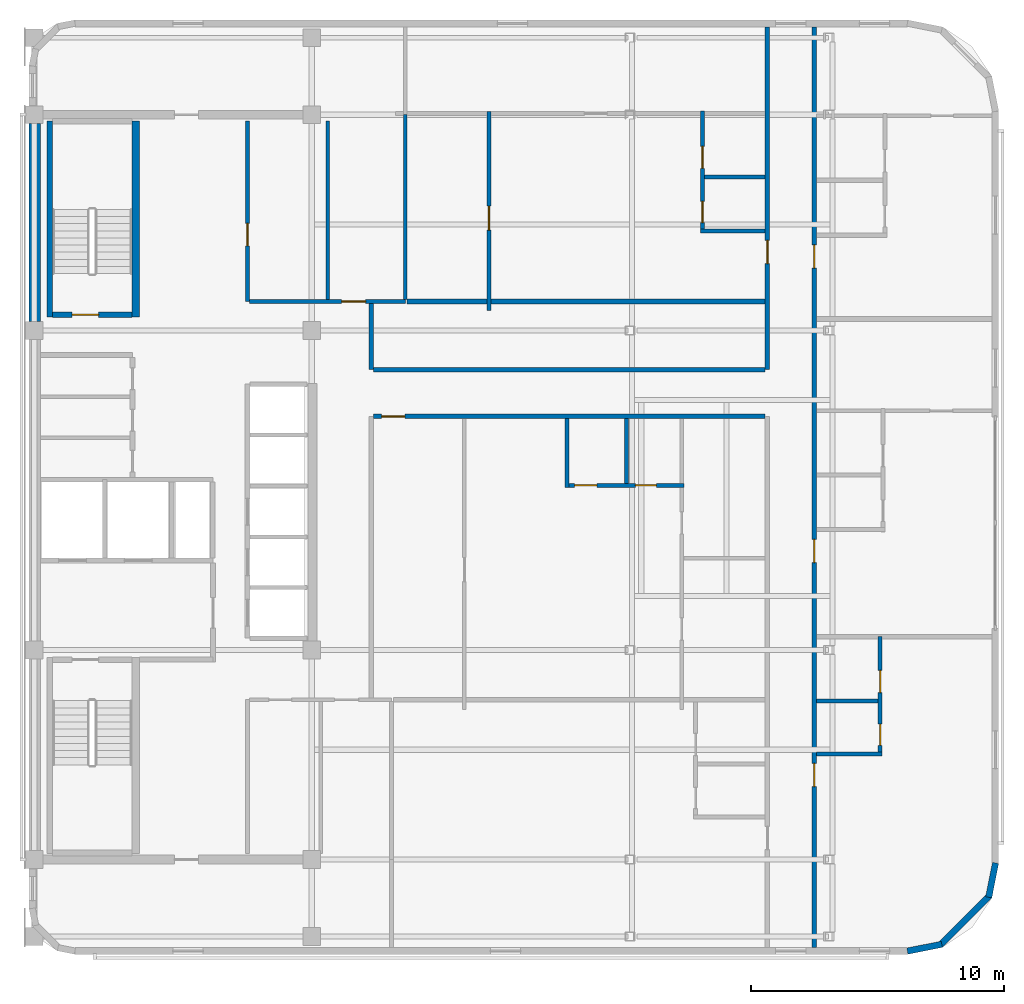
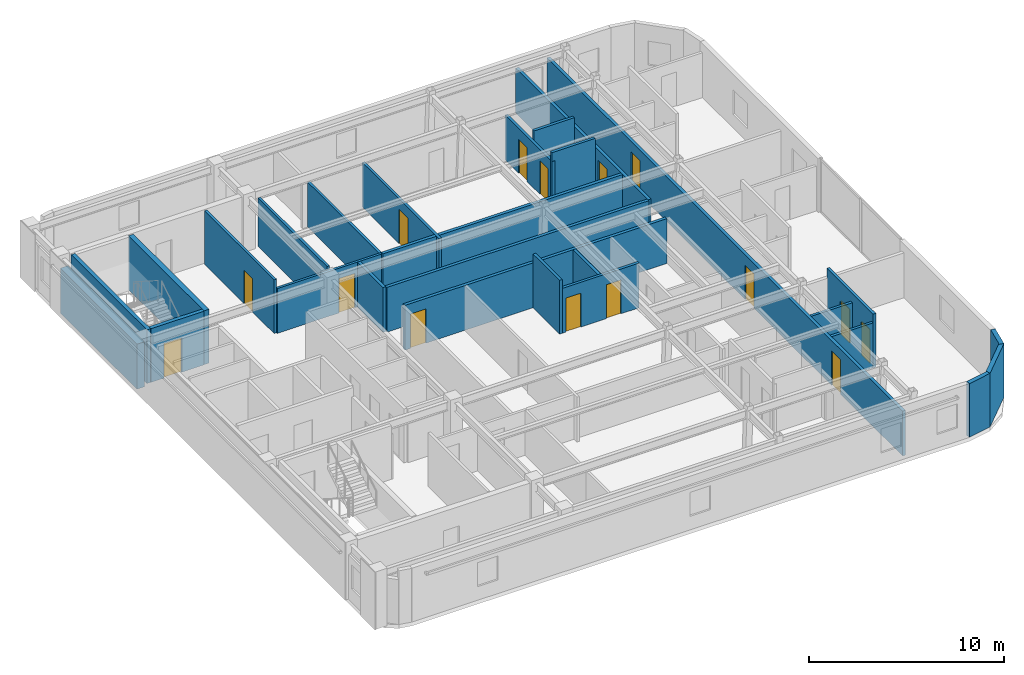
# One storey, part 5 of 10: 27 walls, 15 doors, 15 openings.
"""IFC4 building model written with IfcOpenShell, lengths in metres."""

from ifc_helpers import new_model, si_unit, direction, frame, frame_2d, origin, place, context, subcontext, project, spatial, rectangle, extrude, material, layer, layer_set, type_object, element, fill, save


model = new_model("IFC4")

# Units and contexts
model_context = context("Model", 3, precision=1e-05, world=origin(), true_north=direction((0.0, 1.0)))
body_context = subcontext(model_context, "Body", "Model", "MODEL_VIEW")
ifc_project = project(units=[si_unit("LENGTHUNIT", "METRE"), si_unit("AREAUNIT", "SQUARE_METRE"), si_unit("VOLUMEUNIT", "CUBIC_METRE"), si_unit("PLANEANGLEUNIT", "RADIAN"), si_unit("MASSUNIT", "GRAM", prefix="KILO")], contexts=[model_context])

# Site, building, storey
site_placement = place(None, origin())
site = spatial("IfcSite", under=ifc_project, at=site_placement, CompositionType="ELEMENT")
building_placement = place(site_placement, origin())
building = spatial("IfcBuilding", under=site, at=building_placement, Name="Ochreholt Gables", CompositionType="ELEMENT")
storey_placement = place(building_placement, frame((0.0, 0.0, 223.800048828125)))
storey = spatial("IfcBuildingStorey", under=building, at=storey_placement, Name="L58", CompositionType="ELEMENT", Elevation=223.800048828125)

# Walls
ifc_material_1 = material(Name="Concrete 50 MPa", Category="concrete")
ifc_layer_1 = layer(ifc_material_1, 0.449951171875, Name="Concrete 50 MPa")
ifc_layer_set_1 = layer_set([ifc_layer_1], Name="Concrete 50 MPa")
wall_type_1 = type_object("IfcWallType", Name="WALL-CSW-EXT", PredefinedType="SHEAR", material=ifc_layer_set_1)
wall_1_placement = place(storey_placement, frame((24.22509765625, 30.550048828125, 0.0), z_axis=(0.0, 0.0, 1.0), x_axis=(0.0, 1.0, 0.0)))
element("IfcWall", 1, at=wall_1_placement, inside=storey, type_object=wall_type_1, Name="L58 Core West Shear Wall WN", PredefinedType="SHEAR", context=body_context, shape_type="SweptSolid", body=[
    extrude(rectangle(XDim=7.849853515625, YDim=0.449951171875, at=frame_2d((3.9248046875, 0.0))), origin(), (0.0, 0.0, 1.0), 2.821044921875),
])
ifc_material_2 = material(Name="Precast concrete 40 MPa", Category="concrete")
ifc_layer_2 = layer(ifc_material_2, 0.25, Name="Precast concrete 40 MPa")
ifc_layer_set_2 = layer_set([ifc_layer_2], Name="Precast concrete 40 MPa")
wall_type_2 = type_object("IfcWallType", Name="WALL-EXT-CNR", PredefinedType="SOLIDWALL", material=ifc_layer_set_2)
wall_2_placement = place(storey_placement, frame((58.783447265625, 5.624267578125, 0.0), z_axis=(0.0, 0.0, 1.0), x_axis=(0.980809899341, 0.19496651342, 0.0)))
element("IfcWall", 2, at=wall_2_placement, inside=storey, type_object=wall_type_2, Name="L58 Rounded Corner Wall SE-1", PredefinedType="SOLIDWALL", context=body_context, shape_type="SweptSolid", body=[
    extrude(rectangle(XDim=1.388671875, YDim=0.25, at=frame_2d((0.6943359375, 0.0))), origin(), (0.0, 0.0, 1.0), 3.35986328125),
])
wall_3_placement = place(storey_placement, frame((60.094970703125, 5.867919921875, 0.0), z_axis=(0.0, 0.0, 1.0), x_axis=(0.707106781187, 0.707106781187, 0.0)))
element("IfcWall", 3, at=wall_3_placement, inside=storey, type_object=wall_type_2, Name="L58 Rounded Corner Wall SE-2", PredefinedType="SOLIDWALL", context=body_context, shape_type="SweptSolid", body=[
    extrude(rectangle(XDim=2.7392578125, YDim=0.25, at=frame_2d((1.36962890625, 0.0))), origin(), (0.0, 0.0, 1.0), 3.35986328125),
])
wall_4_placement = place(storey_placement, frame((62.0048828125, 7.75439453125, 0.0), z_axis=(0.0, 0.0, 1.0), x_axis=(0.195135625965, 0.9807762678, 0.0)))
element("IfcWall", 4, at=wall_4_placement, inside=storey, type_object=wall_type_2, Name="L58 Rounded Corner Wall SE-3", PredefinedType="SOLIDWALL", context=body_context, shape_type="SweptSolid", body=[
    extrude(rectangle(XDim=1.388671875, YDim=0.25, at=frame_2d((0.6943359375, 0.0))), origin(), (0.0, 0.0, 1.0), 3.35986328125),
])
ifc_material_3 = material(Name="Fire-Rated Gypsum Acoustic Partition", Category="gypsum")
ifc_layer_3 = layer(ifc_material_3, 0.179931640625, Name="Fire-Rated Gypsum Acoustic Partition")
ifc_layer_set_3 = layer_set([ifc_layer_3], Name="Fire-Rated Gypsum Acoustic Partition")
wall_type_3 = type_object("IfcWallType", Name="WALL-INT-CR180", PredefinedType="STANDARD", material=ifc_layer_set_3)
wall_5_placement = place(storey_placement, frame((37.550048828125, 28.64990234375, 0.0), z_axis=(0.0, 0.0, 1.0), x_axis=(0.0, 1.0, 0.0)))
element("IfcWall", 5, at=wall_5_placement, inside=storey, type_object=wall_type_3, Name="L58 Interior Wall WI-C3CE2-L58", PredefinedType="STANDARD", context=body_context, shape_type="SweptSolid", body=[
    extrude(rectangle(XDim=2.627685546875, YDim=0.179931640625, at=frame_2d((1.31396484375, 0.0))), origin(), (0.0, 0.0, 1.0), 2.802978515625),
])

# Wall, opening, door
wall_6_placement = place(storey_placement, frame((53.24169921875, 28.64990234375, 0.0), z_axis=(0.0, 0.0, 1.0), x_axis=(0.0, 1.0, 0.0)))
wall_6 = element("IfcWall", 6, at=wall_6_placement, inside=storey, type_object=wall_type_3, Name="L58 Interior Wall WI-C3GW2-L58", PredefinedType="STANDARD", context=body_context, shape_type="SweptSolid", body=[
    extrude(rectangle(XDim=13.580078125, YDim=0.179931640625, at=frame_2d((6.7900390625, 0.0))), origin(), (0.0, 0.0, 1.0), 2.802978515625),
])
opening_1_placement = place(wall_6_placement, frame((4.199951171875, 0.0, 0.0)))
opening_1 = element("IfcOpeningElement", 7, at=opening_1_placement, cuts=wall_6, Name="Opening D-UN1", PredefinedType="OPENING", context=body_context, shape_type="SweptSolid", body=[
    extrude(rectangle(XDim=0.919921875, YDim=2.14990234375, at=frame_2d((0.4599609375, 1.074951171875))), frame((0.0, 0.099853515625, 0.0), z_axis=(0.0, -1.0, 0.0), x_axis=(1.0, 0.0, 0.0)), (0.0, 0.0, 1.0), 0.199951171875),
])
ifc_material_4 = material(Name="Engineered Oak Timber", Category="wood")
door_type_1 = type_object("IfcDoorType", Name="DR-INT-UNT920", OperationType="NOTDEFINED", PredefinedType="DOOR", material=ifc_material_4)
door_1_placement = place(opening_1_placement, origin())
door_1 = element("IfcDoor", 8, at=door_1_placement, inside=storey, type_object=door_type_1, Name="L58 Door D-U-L58NM2-ENT", OperationType="SINGLE_SWING_RIGHT", OverallHeight=2.14990234375, OverallWidth=0.919921875, PredefinedType="DOOR", context=body_context, shape_type="SweptSolid", body=[
    extrude(rectangle(XDim=0.919921875, YDim=2.14990234375, at=frame_2d((0.4599609375, 1.074951171875))), frame((0.0, 0.02490234375, 0.0), z_axis=(0.0, -1.0, 0.0), x_axis=(1.0, 0.0, 0.0)), (0.0, 0.0, 1.0), 0.050048828125),
])
fill(opening_1, door_1)

wall_7_placement = place(storey_placement, frame((37.639892578125, 26.800048828125, 0.0), z_axis=(0.0, 0.0, 1.0), x_axis=(1.0, 0.0, 0.0)))
wall_7 = element("IfcWall", 9, at=wall_7_placement, inside=storey, type_object=wall_type_3, Name="L58 Interior Wall WI-C3BRS1-L58", PredefinedType="STANDARD", context=body_context, shape_type="SweptSolid", body=[
    extrude(rectangle(XDim=15.51171875, YDim=0.179931640625, at=frame_2d((7.755859375, 0.0))), origin(), (0.0, 0.0, 1.0), 2.802978515625),
])
opening_2_placement = place(wall_7_placement, frame((0.320068359375, 0.0, 0.0)))
opening_2 = element("IfcOpeningElement", 10, at=opening_2_placement, cuts=wall_7, Name="Opening D-UN1", PredefinedType="OPENING", context=body_context, shape_type="SweptSolid", body=[
    extrude(rectangle(XDim=0.919921875, YDim=2.14990234375, at=frame_2d((0.4599609375, 1.074951171875))), frame((0.0, 0.099853515625, 0.0), z_axis=(0.0, -1.0, 0.0), x_axis=(1.0, 0.0, 0.0)), (0.0, 0.0, 1.0), 0.199951171875),
])
door_2_placement = place(opening_2_placement, origin())
door_2 = element("IfcDoor", 11, at=door_2_placement, inside=storey, type_object=door_type_1, Name="L58 Door D-U-L58SM2-ENT", OperationType="SINGLE_SWING_LEFT", OverallHeight=2.14990234375, OverallWidth=0.919921875, PredefinedType="DOOR", context=body_context, shape_type="SweptSolid", body=[
    extrude(rectangle(XDim=0.919921875, YDim=2.14990234375, at=frame_2d((0.4599609375, 1.074951171875))), frame((0.0, 0.02490234375, 0.0), z_axis=(0.0, -1.0, 0.0), x_axis=(1.0, 0.0, 0.0)), (0.0, 0.0, 1.0), 0.050048828125),
])
fill(opening_2, door_2)

# Wall
wall_8_placement = place(storey_placement, frame((37.639892578125, 28.64990234375, 0.0), z_axis=(0.0, 0.0, 1.0), x_axis=(1.0, 0.0, 0.0)))
element("IfcWall", 12, at=wall_8_placement, inside=storey, type_object=wall_type_3, Name="L58 Interior Wall WI-C3BRN1-L58", PredefinedType="STANDARD", context=body_context, shape_type="SweptSolid", body=[
    extrude(rectangle(XDim=15.51171875, YDim=0.179931640625, at=frame_2d((7.755859375, 0.0))), origin(), (0.0, 0.0, 1.0), 2.802978515625),
])

# Wall, openings, doors
wall_9_placement = place(storey_placement, frame((55.091552734375, 5.77001953125, 0.0), z_axis=(0.0, 0.0, 1.0), x_axis=(0.0, 1.0, 0.0)))
wall_9 = element("IfcWall", 13, at=wall_9_placement, inside=storey, type_object=wall_type_3, Name="L58 Interior Wall WI-C3GE-L58", PredefinedType="STANDARD", context=body_context, shape_type="SweptSolid", body=[
    extrude(rectangle(XDim=36.4599609375, YDim=0.179931640625, at=frame_2d((18.22998046875, 0.0))), origin(), (0.0, 0.0, 1.0), 2.802978515625),
])
opening_3_placement = place(wall_9_placement, frame((6.3701171875, 0.0, 0.0)))
opening_3 = element("IfcOpeningElement", 14, at=opening_3_placement, cuts=wall_9, Name="Opening D-UN1", PredefinedType="OPENING", context=body_context, shape_type="SweptSolid", body=[
    extrude(rectangle(XDim=0.919921875, YDim=2.14990234375, at=frame_2d((0.4599609375, 1.074951171875))), frame((0.0, 0.099853515625, 0.0), z_axis=(0.0, -1.0, 0.0), x_axis=(1.0, 0.0, 0.0)), (0.0, 0.0, 1.0), 0.199951171875),
])
opening_4_placement = place(wall_9_placement, frame((15.242919921875, 0.0, 0.0)))
opening_4 = element("IfcOpeningElement", 15, at=opening_4_placement, cuts=wall_9, Name="Opening D-UN1", PredefinedType="OPENING", context=body_context, shape_type="SweptSolid", body=[
    extrude(rectangle(XDim=0.919921875, YDim=2.14990234375, at=frame_2d((0.4599609375, 1.074951171875))), frame((0.0, 0.099853515625, 0.0), z_axis=(0.0, -1.0, 0.0), x_axis=(1.0, 0.0, 0.0)), (0.0, 0.0, 1.0), 0.199951171875),
])
opening_5_placement = place(wall_9_placement, frame((26.904541015625, 0.0, 0.0)))
opening_5 = element("IfcOpeningElement", 16, at=opening_5_placement, cuts=wall_9, Name="Opening D-UN1", PredefinedType="OPENING", context=body_context, shape_type="SweptSolid", body=[
    extrude(rectangle(XDim=0.919921875, YDim=2.14990234375, at=frame_2d((0.4599609375, 1.074951171875))), frame((0.0, 0.099853515625, 0.0), z_axis=(0.0, -1.0, 0.0), x_axis=(1.0, 0.0, 0.0)), (0.0, 0.0, 1.0), 0.199951171875),
])
door_3_placement = place(opening_3_placement, origin())
door_3 = element("IfcDoor", 17, at=door_3_placement, inside=storey, type_object=door_type_1, Name="L58 Door D-U-L58E1-ENT", OperationType="SINGLE_SWING_RIGHT", OverallHeight=2.14990234375, OverallWidth=0.919921875, PredefinedType="DOOR", context=body_context, shape_type="SweptSolid", body=[
    extrude(rectangle(XDim=0.919921875, YDim=2.14990234375, at=frame_2d((0.4599609375, 1.074951171875))), frame((0.0, 0.02490234375, 0.0), z_axis=(0.0, -1.0, 0.0), x_axis=(1.0, 0.0, 0.0)), (0.0, 0.0, 1.0), 0.050048828125),
])
fill(opening_3, door_3)
door_4_placement = place(opening_4_placement, origin())
door_4 = element("IfcDoor", 18, at=door_4_placement, inside=storey, type_object=door_type_1, Name="L58 Door D-U-L58E2-ENT", OperationType="SINGLE_SWING_LEFT", OverallHeight=2.14990234375, OverallWidth=0.919921875, PredefinedType="DOOR", context=body_context, shape_type="SweptSolid", body=[
    extrude(rectangle(XDim=0.919921875, YDim=2.14990234375, at=frame_2d((0.4599609375, 1.074951171875))), frame((0.0, 0.02490234375, 0.0), z_axis=(0.0, -1.0, 0.0), x_axis=(1.0, 0.0, 0.0)), (0.0, 0.0, 1.0), 0.050048828125),
])
fill(opening_4, door_4)
door_5_placement = place(opening_5_placement, origin())
door_5 = element("IfcDoor", 19, at=door_5_placement, inside=storey, type_object=door_type_1, Name="L58 Door D-U-L58E3-ENT", OperationType="SINGLE_SWING_RIGHT", OverallHeight=2.14990234375, OverallWidth=0.919921875, PredefinedType="DOOR", context=body_context, shape_type="SweptSolid", body=[
    extrude(rectangle(XDim=0.919921875, YDim=2.14990234375, at=frame_2d((0.4599609375, 1.074951171875))), frame((0.0, 0.02490234375, 0.0), z_axis=(0.0, -1.0, 0.0), x_axis=(1.0, 0.0, 0.0)), (0.0, 0.0, 1.0), 0.050048828125),
])
fill(opening_5, door_5)

# Walls
ifc_material_5 = material(Name="Double-Stud Acoustic Demising Wall", Category="gypsum")
ifc_layer_4 = layer(ifc_material_5, 0.18505859375, Name="Double-Stud Acoustic Demising Wall")
ifc_layer_set_4 = layer_set([ifc_layer_4], Name="Double-Stud Acoustic Demising Wall")
wall_type_4 = type_object("IfcWallType", Name="WALL-INT-DM185", PredefinedType="PARTITIONING", material=ifc_layer_set_4)
wall_10_placement = place(storey_placement, frame((38.972412109375, 31.35009765625, 0.0), z_axis=(0.0, 0.0, 1.0), x_axis=(1.0, 0.0, 0.0)))
element("IfcWall", 20, at=wall_10_placement, inside=storey, type_object=wall_type_4, Name="L58 Interior Wall WI-C3NMY-L58", PredefinedType="PARTITIONING", context=body_context, shape_type="SweptSolid", body=[
    extrude(rectangle(XDim=14.17919921875, YDim=0.18505859375, at=frame_2d((7.089599609375, 0.0))), origin(), (0.0, 0.0, 1.0), 2.802978515625),
])
ifc_material_6 = material(Name="Moisture-Resistant Plumbing Chase Wall", Category="gypsum")
ifc_layer_5 = layer(ifc_material_6, 0.159912109375, Name="Moisture-Resistant Plumbing Chase Wall")
ifc_layer_set_5 = layer_set([ifc_layer_5], Name="Moisture-Resistant Plumbing Chase Wall")
wall_type_5 = type_object("IfcWallType", Name="WALL-INT-PL160", PredefinedType="PLUMBINGWALL", material=ifc_layer_set_5)
wall_11_placement = place(storey_placement, frame((55.181640625, 13.43994140625, 0.0), z_axis=(0.0, 0.0, 1.0), x_axis=(1.0, 0.0, 0.0)))
element("IfcWall", 21, at=wall_11_placement, inside=storey, type_object=wall_type_5, Name="L58 Interior Wall WU-L58E1-WYS", PredefinedType="PLUMBINGWALL", context=body_context, shape_type="SweptSolid", body=[
    extrude(rectangle(XDim=2.60595703125, YDim=0.159912109375, at=frame_2d((1.302978515625, 0.0))), origin(), (0.0, 0.0, 1.0), 2.802978515625),
])

# Wall, openings, doors
wall_12_placement = place(storey_placement, frame((57.70751953125, 13.35009765625, 0.0), z_axis=(0.0, 0.0, 1.0), x_axis=(0.0, 1.0, 0.0)))
wall_12 = element("IfcWall", 22, at=wall_12_placement, inside=storey, type_object=wall_type_5, Name="L58 Interior Wall WU-L58E1-WX", PredefinedType="PLUMBINGWALL", context=body_context, shape_type="SweptSolid", body=[
    extrude(rectangle(XDim=4.72998046875, YDim=0.159912109375, at=frame_2d((2.364990234375, 0.0))), origin(), (0.0, 0.0, 1.0), 3.35986328125),
])
opening_6_placement = place(wall_12_placement, frame((0.419921875, 0.0, 0.0)))
opening_6 = element("IfcOpeningElement", 23, at=opening_6_placement, cuts=wall_12, Name="Opening D-BT2", PredefinedType="OPENING", context=body_context, shape_type="SweptSolid", body=[
    extrude(rectangle(XDim=0.840087890625, YDim=2.1201171875, at=frame_2d((0.419921875, 1.06005859375))), frame((0.0, 0.08984375, 0.0), z_axis=(0.0, -1.0, 0.0), x_axis=(1.0, 0.0, 0.0)), (0.0, 0.0, 1.0), 0.179931640625),
])
opening_7_placement = place(wall_12_placement, frame((2.512939453125, 0.0, 0.0)))
opening_7 = element("IfcOpeningElement", 24, at=opening_7_placement, cuts=wall_12, Name="Opening D-GN2", PredefinedType="OPENING", context=body_context, shape_type="SweptSolid", body=[
    extrude(rectangle(XDim=0.8798828125, YDim=2.1201171875, at=frame_2d((0.43994140625, 1.06005859375))), frame((0.0, 0.08984375, 0.0), z_axis=(0.0, -1.0, 0.0), x_axis=(1.0, 0.0, 0.0)), (0.0, 0.0, 1.0), 0.179931640625),
])
door_type_2 = type_object("IfcDoorType", Name="DR-INT-BTH840", OperationType="NOTDEFINED", PredefinedType="DOOR", material=ifc_material_4)
door_6_placement = place(opening_6_placement, origin())
door_6 = element("IfcDoor", 25, at=door_6_placement, inside=storey, type_object=door_type_2, Name="L58 Door D-U-L58E1-BTH", OperationType="SINGLE_SWING_LEFT", OverallHeight=2.1201171875, OverallWidth=0.840087890625, PredefinedType="DOOR", context=body_context, shape_type="SweptSolid", body=[
    extrude(rectangle(XDim=0.840087890625, YDim=2.1201171875, at=frame_2d((0.419921875, 1.06005859375))), frame((0.0, 0.02490234375, 0.0), z_axis=(0.0, -1.0, 0.0), x_axis=(1.0, 0.0, 0.0)), (0.0, 0.0, 1.0), 0.050048828125),
])
fill(opening_6, door_6)
door_type_3 = type_object("IfcDoorType", Name="DR-INT-GEN880", OperationType="NOTDEFINED", PredefinedType="DOOR", material=ifc_material_4)
door_7_placement = place(opening_7_placement, origin())
door_7 = element("IfcDoor", 26, at=door_7_placement, inside=storey, type_object=door_type_3, Name="L58 Door D-U-L58E1-KIT", OperationType="SINGLE_SWING_RIGHT", OverallHeight=2.1201171875, OverallWidth=0.8798828125, PredefinedType="DOOR", context=body_context, shape_type="SweptSolid", body=[
    extrude(rectangle(XDim=0.8798828125, YDim=2.1201171875, at=frame_2d((0.43994140625, 1.06005859375))), frame((0.0, 0.02490234375, 0.0), z_axis=(0.0, -1.0, 0.0), x_axis=(1.0, 0.0, 0.0)), (0.0, 0.0, 1.0), 0.050048828125),
])
fill(opening_7, door_7)

# Wall
wall_13_placement = place(storey_placement, frame((55.181640625, 15.532958984375, 0.0), z_axis=(0.0, 0.0, 1.0), x_axis=(1.0, 0.0, 0.0)))
element("IfcWall", 27, at=wall_13_placement, inside=storey, type_object=wall_type_5, Name="L58 Interior Wall WU-L58E1-WM", PredefinedType="PLUMBINGWALL", context=body_context, shape_type="SweptSolid", body=[
    extrude(rectangle(XDim=2.446044921875, YDim=0.159912109375, at=frame_2d((1.22314453125, 0.0))), origin(), (0.0, 0.0, 1.0), 2.802978515625),
])

# Wall, openings, doors
wall_14_placement = place(storey_placement, frame((45.2216796875, 24.070068359375, 0.0), z_axis=(0.0, 0.0, 1.0), x_axis=(1.0, 0.0, 0.0)))
wall_14 = element("IfcWall", 28, at=wall_14_placement, inside=storey, type_object=wall_type_5, Name="L58 Interior Wall WU-L58SM2-WY", PredefinedType="PLUMBINGWALL", context=body_context, shape_type="SweptSolid", body=[
    extrude(rectangle(XDim=4.7099609375, YDim=0.159912109375, at=frame_2d((2.35498046875, 0.0))), origin(), (0.0, 0.0, 1.0), 2.802978515625),
])
opening_8_placement = place(wall_14_placement, frame((0.3798828125, 0.0, 0.0)))
opening_8 = element("IfcOpeningElement", 29, at=opening_8_placement, cuts=wall_14, Name="Opening D-GN2", PredefinedType="OPENING", context=body_context, shape_type="SweptSolid", body=[
    extrude(rectangle(XDim=0.8798828125, YDim=2.1201171875, at=frame_2d((0.43994140625, 1.06005859375))), frame((0.0, 0.08984375, 0.0), z_axis=(0.0, -1.0, 0.0), x_axis=(1.0, 0.0, 0.0)), (0.0, 0.0, 1.0), 0.179931640625),
])
opening_9_placement = place(wall_14_placement, frame((2.785888671875, 0.0, 0.0)))
opening_9 = element("IfcOpeningElement", 30, at=opening_9_placement, cuts=wall_14, Name="Opening D-BT2", PredefinedType="OPENING", context=body_context, shape_type="SweptSolid", body=[
    extrude(rectangle(XDim=0.840087890625, YDim=2.1201171875, at=frame_2d((0.419921875, 1.06005859375))), frame((0.0, 0.08984375, 0.0), z_axis=(0.0, -1.0, 0.0), x_axis=(1.0, 0.0, 0.0)), (0.0, 0.0, 1.0), 0.179931640625),
])
door_8_placement = place(opening_9_placement, origin())
door_8 = element("IfcDoor", 31, at=door_8_placement, inside=storey, type_object=door_type_2, Name="L58 Door D-U-L58SM2-BTH", OperationType="SINGLE_SWING_LEFT", OverallHeight=2.1201171875, OverallWidth=0.840087890625, PredefinedType="DOOR", context=body_context, shape_type="SweptSolid", body=[
    extrude(rectangle(XDim=0.840087890625, YDim=2.1201171875, at=frame_2d((0.419921875, 1.06005859375))), frame((0.0, 0.02490234375, 0.0), z_axis=(0.0, -1.0, 0.0), x_axis=(1.0, 0.0, 0.0)), (0.0, 0.0, 1.0), 0.050048828125),
])
fill(opening_9, door_8)
door_9_placement = place(opening_8_placement, origin())
door_9 = element("IfcDoor", 32, at=door_9_placement, inside=storey, type_object=door_type_3, Name="L58 Door D-U-L58SM2-KIT", OperationType="SINGLE_SWING_RIGHT", OverallHeight=2.1201171875, OverallWidth=0.8798828125, PredefinedType="DOOR", context=body_context, shape_type="SweptSolid", body=[
    extrude(rectangle(XDim=0.8798828125, YDim=2.1201171875, at=frame_2d((0.43994140625, 1.06005859375))), frame((0.0, 0.02490234375, 0.0), z_axis=(0.0, -1.0, 0.0), x_axis=(1.0, 0.0, 0.0)), (0.0, 0.0, 1.0), 0.050048828125),
])
fill(opening_8, door_9)

# Walls
wall_15_placement = place(storey_placement, frame((45.301513671875, 23.989990234375, 0.0), z_axis=(0.0, 0.0, 1.0), x_axis=(0.0, 1.0, 0.0)))
element("IfcWall", 33, at=wall_15_placement, inside=storey, type_object=wall_type_5, Name="L58 Interior Wall WU-L58SM2-FY", PredefinedType="PLUMBINGWALL", context=body_context, shape_type="SweptSolid", body=[
    extrude(rectangle(XDim=2.719970703125, YDim=0.159912109375, at=frame_2d((1.35986328125, 0.0))), origin(), (0.0, 0.0, 1.0), 3.35986328125),
])
wall_16_placement = place(storey_placement, frame((47.66748046875, 24.14990234375, 0.0), z_axis=(0.0, 0.0, 1.0), x_axis=(0.0, 1.0, 0.0)))
element("IfcWall", 34, at=wall_16_placement, inside=storey, type_object=wall_type_5, Name="L58 Interior Wall WU-L58SM2-WK", PredefinedType="PLUMBINGWALL", context=body_context, shape_type="SweptSolid", body=[
    extrude(rectangle(XDim=2.56005859375, YDim=0.159912109375, at=frame_2d((1.280029296875, 0.0))), origin(), (0.0, 0.0, 1.0), 2.802978515625),
])
wall_17_placement = place(storey_placement, frame((50.591552734375, 34.14990234375, 0.0), z_axis=(0.0, 0.0, 1.0), x_axis=(1.0, 0.0, 0.0)))
element("IfcWall", 35, at=wall_17_placement, inside=storey, type_object=wall_type_5, Name="L58 Interior Wall WU-L58NM2-FYS", PredefinedType="PLUMBINGWALL", context=body_context, shape_type="SweptSolid", body=[
    extrude(rectangle(XDim=2.56005859375, YDim=0.159912109375, at=frame_2d((1.280029296875, 0.0))), origin(), (0.0, 0.0, 1.0), 3.35986328125),
])

# Wall, openings, doors
wall_18_placement = place(storey_placement, frame((50.671630859375, 34.06005859375, 0.0), z_axis=(0.0, 0.0, 1.0), x_axis=(0.0, 1.0, 0.0)))
wall_18 = element("IfcWall", 36, at=wall_18_placement, inside=storey, type_object=wall_type_5, Name="L58 Interior Wall WU-L58NM2-WX", PredefinedType="PLUMBINGWALL", context=body_context, shape_type="SweptSolid", body=[
    extrude(rectangle(XDim=4.829833984375, YDim=0.159912109375, at=frame_2d((2.4150390625, 0.0))), origin(), (0.0, 0.0, 1.0), 2.802978515625),
])
opening_10_placement = place(wall_18_placement, frame((0.419921875, 0.0, 0.0)))
opening_10 = element("IfcOpeningElement", 37, at=opening_10_placement, cuts=wall_18, Name="Opening D-BT2", PredefinedType="OPENING", context=body_context, shape_type="SweptSolid", body=[
    extrude(rectangle(XDim=0.840087890625, YDim=2.1201171875, at=frame_2d((0.419921875, 1.06005859375))), frame((0.0, 0.08984375, 0.0), z_axis=(0.0, -1.0, 0.0), x_axis=(1.0, 0.0, 0.0)), (0.0, 0.0, 1.0), 0.179931640625),
])
opening_11_placement = place(wall_18_placement, frame((2.55908203125, 0.0, 0.0)))
opening_11 = element("IfcOpeningElement", 38, at=opening_11_placement, cuts=wall_18, Name="Opening D-GN2", PredefinedType="OPENING", context=body_context, shape_type="SweptSolid", body=[
    extrude(rectangle(XDim=0.8798828125, YDim=2.1201171875, at=frame_2d((0.43994140625, 1.06005859375))), frame((0.0, 0.08984375, 0.0), z_axis=(0.0, -1.0, 0.0), x_axis=(1.0, 0.0, 0.0)), (0.0, 0.0, 1.0), 0.179931640625),
])
door_10_placement = place(opening_10_placement, origin())
door_10 = element("IfcDoor", 39, at=door_10_placement, inside=storey, type_object=door_type_2, Name="L58 Door D-U-L58NM2-BTH", OperationType="SINGLE_SWING_LEFT", OverallHeight=2.1201171875, OverallWidth=0.840087890625, PredefinedType="DOOR", context=body_context, shape_type="SweptSolid", body=[
    extrude(rectangle(XDim=0.840087890625, YDim=2.1201171875, at=frame_2d((0.419921875, 1.06005859375))), frame((0.0, 0.02490234375, 0.0), z_axis=(0.0, -1.0, 0.0), x_axis=(1.0, 0.0, 0.0)), (0.0, 0.0, 1.0), 0.050048828125),
])
fill(opening_10, door_10)
door_11_placement = place(opening_11_placement, origin())
door_11 = element("IfcDoor", 40, at=door_11_placement, inside=storey, type_object=door_type_3, Name="L58 Door D-U-L58NM2-KIT", OperationType="SINGLE_SWING_RIGHT", OverallHeight=2.1201171875, OverallWidth=0.8798828125, PredefinedType="DOOR", context=body_context, shape_type="SweptSolid", body=[
    extrude(rectangle(XDim=0.8798828125, YDim=2.1201171875, at=frame_2d((0.43994140625, 1.06005859375))), frame((0.0, 0.02490234375, 0.0), z_axis=(0.0, -1.0, 0.0), x_axis=(1.0, 0.0, 0.0)), (0.0, 0.0, 1.0), 0.050048828125),
])
fill(opening_11, door_11)

# Wall
wall_19_placement = place(storey_placement, frame((50.751708984375, 36.2890625, 0.0), z_axis=(0.0, 0.0, 1.0), x_axis=(1.0, 0.0, 0.0)))
element("IfcWall", 41, at=wall_19_placement, inside=storey, type_object=wall_type_5, Name="L58 Interior Wall WU-L58NM2-WK", PredefinedType="PLUMBINGWALL", context=body_context, shape_type="SweptSolid", body=[
    extrude(rectangle(XDim=2.39990234375, YDim=0.159912109375, at=frame_2d((1.199951171875, 0.0))), origin(), (0.0, 0.0, 1.0), 3.35986328125),
])

# Wall, opening, door
ifc_material_7 = material(Name="Lightweight Stud Partition", Category="gypsum")
ifc_layer_6 = layer(ifc_material_7, 0.14501953125, Name="Lightweight Stud Partition")
ifc_layer_set_6 = layer_set([ifc_layer_6], Name="Lightweight Stud Partition")
wall_type_6 = type_object("IfcWallType", Name="WALL-INT-PT145", PredefinedType="PARTITIONING", material=ifc_layer_set_6)
wall_20_placement = place(storey_placement, frame((32.64990234375, 31.35009765625, 0.0), z_axis=(0.0, 0.0, 1.0), x_axis=(0.0, 1.0, 0.0)))
wall_20 = element("IfcWall", 42, at=wall_20_placement, inside=storey, type_object=wall_type_6, Name="L58 Interior Wall WI-RCM-W-L58", PredefinedType="PARTITIONING", context=body_context, shape_type="SweptSolid", body=[
    extrude(rectangle(XDim=7.14990234375, YDim=0.14501953125, at=frame_2d((3.574951171875, 0.0))), origin(), (0.0, 0.0, 1.0), 3.35986328125),
])
opening_12_placement = place(wall_20_placement, frame((2.199951171875, 0.0, 0.0)))
opening_12 = element("IfcOpeningElement", 43, at=opening_12_placement, cuts=wall_20, Name="Opening D-SV1", PredefinedType="OPENING", context=body_context, shape_type="SweptSolid", body=[
    extrude(rectangle(XDim=0.89990234375, YDim=2.10009765625, at=frame_2d((0.449951171875, 1.050048828125))), frame((0.0, 0.08251953125, 0.0), z_axis=(0.0, -1.0, 0.0), x_axis=(1.0, 0.0, 0.0)), (0.0, 0.0, 1.0), 0.1650390625),
])
ifc_material_8 = material(Name="Hollow Metal Steel", Category="steel")
door_type_4 = type_object("IfcDoorType", Name="DR-INT-SRV900", OperationType="NOTDEFINED", PredefinedType="DOOR", material=ifc_material_8)
door_12_placement = place(opening_12_placement, origin())
door_12 = element("IfcDoor", 44, at=door_12_placement, inside=storey, type_object=door_type_4, Name="L58 Door D-RCM1-L58", OperationType="SINGLE_SWING_LEFT", OverallHeight=2.10009765625, OverallWidth=0.89990234375, PredefinedType="DOOR", context=body_context, shape_type="SweptSolid", body=[
    extrude(rectangle(XDim=0.89990234375, YDim=2.10009765625, at=frame_2d((0.449951171875, 1.050048828125))), frame((0.0, 0.02490234375, 0.0), z_axis=(0.0, -1.0, 0.0), x_axis=(1.0, 0.0, 0.0)), (0.0, 0.0, 1.0), 0.050048828125),
])
fill(opening_12, door_12)

wall_21_placement = place(storey_placement, frame((32.722412109375, 31.35009765625, 0.0), z_axis=(0.0, 0.0, 1.0), x_axis=(1.0, 0.0, 0.0)))
wall_21 = element("IfcWall", 45, at=wall_21_placement, inside=storey, type_object=wall_type_6, Name="L58 Interior Wall WI-RCM-S-L58", PredefinedType="PARTITIONING", context=body_context, shape_type="SweptSolid", body=[
    extrude(rectangle(XDim=6.177490234375, YDim=0.14501953125, at=frame_2d((3.0888671875, 0.0))), origin(), (0.0, 0.0, 1.0), 2.802978515625),
])
opening_13_placement = place(wall_21_placement, frame((3.652587890625, 0.0, 0.0)))
opening_13 = element("IfcOpeningElement", 46, at=opening_13_placement, cuts=wall_21, Name="Opening D-GN1", PredefinedType="OPENING", context=body_context, shape_type="SweptSolid", body=[
    extrude(rectangle(XDim=0.949951171875, YDim=2.14990234375, at=frame_2d((0.47509765625, 1.074951171875))), frame((0.0, 0.08251953125, 0.0), z_axis=(0.0, -1.0, 0.0), x_axis=(1.0, 0.0, 0.0)), (0.0, 0.0, 1.0), 0.1650390625),
])
door_type_5 = type_object("IfcDoorType", Name="DR-INT-GEN950", OperationType="NOTDEFINED", PredefinedType="DOOR", material=ifc_material_4)
door_13_placement = place(opening_13_placement, origin())
door_13 = element("IfcDoor", 47, at=door_13_placement, inside=storey, type_object=door_type_5, Name="L58 Door D-RCM2-L58", OperationType="SINGLE_SWING_RIGHT", OverallHeight=2.14990234375, OverallWidth=0.949951171875, PredefinedType="DOOR", context=body_context, shape_type="SweptSolid", body=[
    extrude(rectangle(XDim=0.949951171875, YDim=2.14990234375, at=frame_2d((0.47509765625, 1.074951171875))), frame((0.0, 0.02490234375, 0.0), z_axis=(0.0, -1.0, 0.0), x_axis=(1.0, 0.0, 0.0)), (0.0, 0.0, 1.0), 0.050048828125),
])
fill(opening_13, door_13)

# Walls
wall_22_placement = place(storey_placement, frame((38.89990234375, 31.422607421875, 0.0), z_axis=(0.0, 0.0, 1.0), x_axis=(0.0, 1.0, 0.0)))
element("IfcWall", 48, at=wall_22_placement, inside=storey, type_object=wall_type_6, Name="L58 Interior Wall WI-RCM-E-L58", PredefinedType="PARTITIONING", context=body_context, shape_type="SweptSolid", body=[
    extrude(rectangle(XDim=7.327392578125, YDim=0.14501953125, at=frame_2d((3.66357421875, 0.0))), origin(), (0.0, 0.0, 1.0), 2.802978515625),
])
wall_23_placement = place(storey_placement, frame((35.824951171875, 31.422607421875, 0.0), z_axis=(0.0, 0.0, 1.0), x_axis=(0.0, 1.0, 0.0)))
element("IfcWall", 49, at=wall_23_placement, inside=storey, type_object=wall_type_6, Name="L58 Interior Wall WI-RCM-DV-L58", PredefinedType="PARTITIONING", context=body_context, shape_type="SweptSolid", body=[
    extrude(rectangle(XDim=7.077392578125, YDim=0.14501953125, at=frame_2d((3.53857421875, 0.0))), origin(), (0.0, 0.0, 1.0), 3.0390625),
])

# Wall, opening, door
wall_24_placement = place(storey_placement, frame((42.2119140625, 30.989990234375, 0.0), z_axis=(0.0, 0.0, 1.0), x_axis=(0.0, 1.0, 0.0)))
wall_24 = element("IfcWall", 50, at=wall_24_placement, inside=storey, type_object=wall_type_6, Name="L58 Interior Wall WU-L58NM2-DNV", PredefinedType="PARTITIONING", context=body_context, shape_type="SweptSolid", body=[
    extrude(rectangle(XDim=7.889892578125, YDim=0.14501953125, at=frame_2d((3.94482421875, 0.0))), origin(), (0.0, 0.0, 1.0), 2.802978515625),
])
opening_14_placement = place(wall_24_placement, frame((3.18505859375, 0.0, 0.0)))
opening_14 = element("IfcOpeningElement", 51, at=opening_14_placement, cuts=wall_24, Name="Opening D-GN1", PredefinedType="OPENING", context=body_context, shape_type="SweptSolid", body=[
    extrude(rectangle(XDim=0.949951171875, YDim=2.14990234375, at=frame_2d((0.47509765625, 1.074951171875))), frame((0.0, 0.08251953125, 0.0), z_axis=(0.0, -1.0, 0.0), x_axis=(1.0, 0.0, 0.0)), (0.0, 0.0, 1.0), 0.1650390625),
])
door_14_placement = place(opening_14_placement, origin())
door_14 = element("IfcDoor", 52, at=door_14_placement, inside=storey, type_object=door_type_5, Name="L58 Door D-U-L58NM2-DIN", OperationType="SINGLE_SWING_LEFT", OverallHeight=2.14990234375, OverallWidth=0.949951171875, PredefinedType="DOOR", context=body_context, shape_type="SweptSolid", body=[
    extrude(rectangle(XDim=0.949951171875, YDim=2.14990234375, at=frame_2d((0.47509765625, 1.074951171875))), frame((0.0, 0.02490234375, 0.0), z_axis=(0.0, -1.0, 0.0), x_axis=(1.0, 0.0, 0.0)), (0.0, 0.0, 1.0), 0.050048828125),
])
fill(opening_14, door_14)

# Walls
ifc_material_9 = material(Name="Concrete 60 MPa", Category="concrete")
ifc_layer_7 = layer(ifc_material_9, 0.300048828125, Name="Concrete 60 MPa")
ifc_layer_set_7 = layer_set([ifc_layer_7], Name="Concrete 60 MPa")
wall_type_7 = type_object("IfcWallType", Name="WALL-SPN-300", PredefinedType="SHEAR", material=ifc_layer_set_7)
wall_25_placement = place(storey_placement, frame((28.22998046875, 30.739990234375, 0.0), z_axis=(0.0, 0.0, 1.0), x_axis=(0.0, 1.0, 0.0)))
element("IfcWall", 53, at=wall_25_placement, inside=storey, type_object=wall_type_7, Name="L58 Core North Spine Shear Wall", PredefinedType="SHEAR", context=body_context, shape_type="SweptSolid", body=[
    extrude(rectangle(XDim=7.760009765625, YDim=0.300048828125, at=frame_2d((3.8798828125, 0.0))), origin(), (0.0, 0.0, 1.0), 3.35986328125),
])
ifc_layer_8 = layer(ifc_material_1, 0.219970703125, Name="Concrete 50 MPa")
ifc_layer_set_8 = layer_set([ifc_layer_8], Name="Concrete 50 MPa")
wall_type_8 = type_object("IfcWallType", Name="WALL-STW-220", PredefinedType="SHEAR", material=ifc_layer_set_8)
wall_26_placement = place(storey_placement, frame((24.81005859375, 30.739990234375, 0.0), z_axis=(0.0, 0.0, 1.0), x_axis=(0.0, 1.0, 0.0)))
element("IfcWall", 54, at=wall_26_placement, inside=storey, type_object=wall_type_8, Name="L58 Exit Stair 2 West Wall", PredefinedType="SHEAR", context=body_context, shape_type="SweptSolid", body=[
    extrude(rectangle(XDim=7.760009765625, YDim=0.219970703125, at=frame_2d((3.8798828125, 0.0))), origin(), (0.0, 0.0, 1.0), 3.35986328125),
])

# Wall, opening, door
wall_27_placement = place(storey_placement, frame((24.919921875, 30.830078125, 0.0), z_axis=(0.0, 0.0, 1.0), x_axis=(1.0, 0.0, 0.0)))
wall_27 = element("IfcWall", 55, at=wall_27_placement, inside=storey, type_object=wall_type_8, Name="L58 Exit Stair 2 South Wall", PredefinedType="SHEAR", context=body_context, shape_type="SweptSolid", body=[
    extrude(rectangle(XDim=3.16015625, YDim=0.219970703125, at=frame_2d((1.580078125, 0.0))), origin(), (0.0, 0.0, 1.0), 3.35986328125),
])
opening_15_placement = place(wall_27_placement, frame((0.780029296875, 0.0, 0.0)))
opening_15 = element("IfcOpeningElement", 56, at=opening_15_placement, cuts=wall_27, Name="Opening D-STC", PredefinedType="OPENING", context=body_context, shape_type="SweptSolid", body=[
    extrude(rectangle(XDim=1.050048828125, YDim=2.14990234375, at=frame_2d((0.52490234375, 1.074951171875))), frame((0.0, 0.119873046875, 0.0), z_axis=(0.0, -1.0, 0.0), x_axis=(1.0, 0.0, 0.0)), (0.0, 0.0, 1.0), 0.239990234375),
])
door_type_6 = type_object("IfcDoorType", Name="DR-INT-ST1050", OperationType="NOTDEFINED", PredefinedType="DOOR", material=ifc_material_8)
door_15_placement = place(opening_15_placement, origin())
door_15 = element("IfcDoor", 57, at=door_15_placement, inside=storey, type_object=door_type_6, Name="L58 Door D-ST2-L58", OperationType="SINGLE_SWING_RIGHT", OverallHeight=2.14990234375, OverallWidth=1.050048828125, PredefinedType="DOOR", context=body_context, shape_type="SweptSolid", body=[
    extrude(rectangle(XDim=1.050048828125, YDim=2.14990234375, at=frame_2d((0.52490234375, 1.074951171875))), frame((0.0, 0.02490234375, 0.0), z_axis=(0.0, -1.0, 0.0), x_axis=(1.0, 0.0, 0.0)), (0.0, 0.0, 1.0), 0.050048828125),
])
fill(opening_15, door_15)

save(model, "model.ifc")
